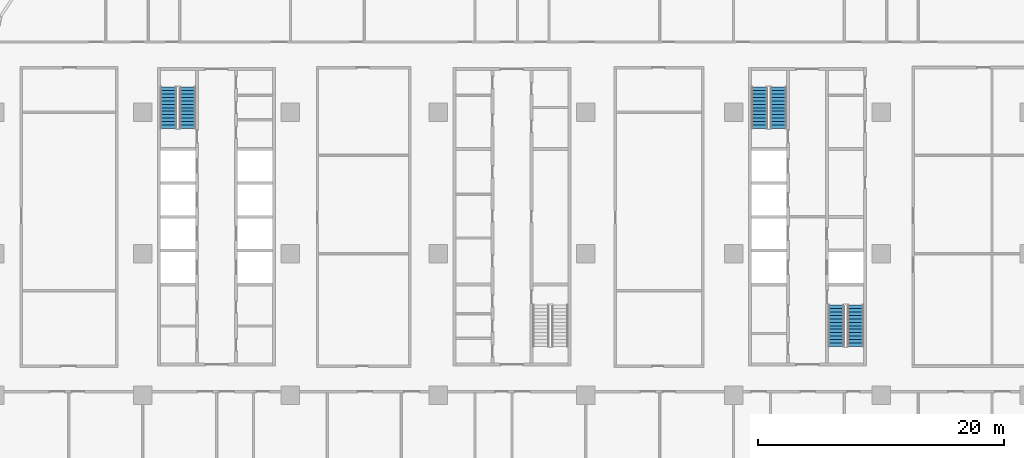
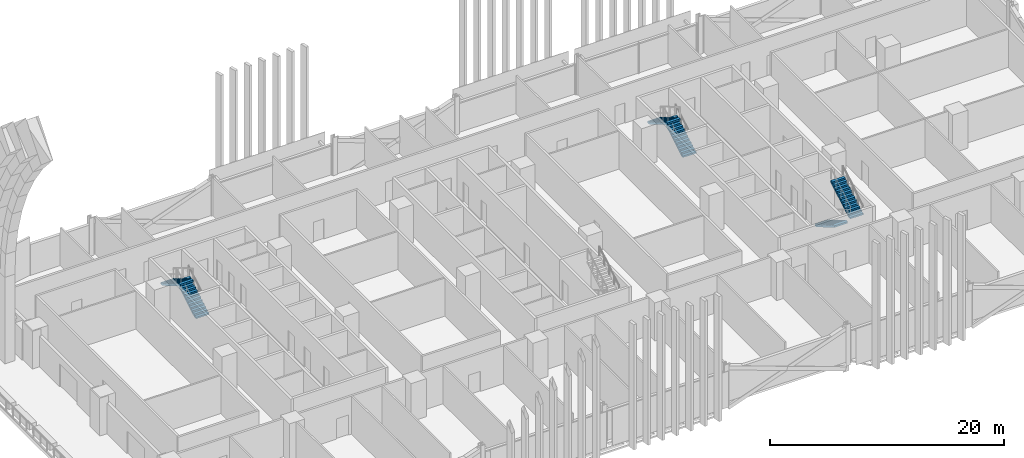
# One storey, part 16 of 29: 6 stair flights, 3 elements without a shape of their own.
"""IFC4 building model written with IfcOpenShell, lengths in metres."""

from ifc_helpers import new_model, si_unit, direction, frame, origin, place, context, subcontext, project, spatial, polyline, outline, extrude, material, type_object, element, aggregate, save


model = new_model("IFC4")

# Units and contexts
model_context = context("Model", 3, precision=1e-05, world=origin(), true_north=direction((0.0, 1.0)))
body_context = subcontext(model_context, "Body", "Model", "MODEL_VIEW")
ifc_project = project(units=[si_unit("LENGTHUNIT", "METRE"), si_unit("AREAUNIT", "SQUARE_METRE"), si_unit("VOLUMEUNIT", "CUBIC_METRE"), si_unit("PLANEANGLEUNIT", "RADIAN"), si_unit("MASSUNIT", "GRAM", prefix="KILO")], contexts=[model_context])

# Site, building, storey
site_placement = place(None, origin())
site = spatial("IfcSite", under=ifc_project, at=site_placement, CompositionType="ELEMENT")
building_placement = place(site_placement, origin())
building = spatial("IfcBuilding", under=site, at=building_placement, Name="Mahtab Terrace Research Tower", CompositionType="ELEMENT")
storey_placement = place(building_placement, frame((0.0, 0.0, 46.0)))
storey = spatial("IfcBuildingStorey", under=building, at=storey_placement, Name="L10", CompositionType="ELEMENT", Elevation=46.0)

# Stair, stair flights
ifc_material_1 = material(Name="Exit stair half-turn")
stair_type = type_object("IfcStairType", Name="Exit stair half-turn", PredefinedType="HALF_TURN_STAIR", material=ifc_material_1)
stair_1_placement = place(storey_placement, origin())
stair_1 = element("IfcStair", 1, at=stair_1_placement, inside=storey, type_object=stair_type, Name="L10 Protected exit stair ST1", PredefinedType="HALF_TURN_STAIR")
ifc_material_2 = material(Name="Concrete C40/50", Category="concrete")
stair_flight_type = type_object("IfcStairFlightType", Name="Exit stair flight 1300", PredefinedType="STRAIGHT", material=ifc_material_2)
stair_flight_1_placement = place(storey_placement, frame((-26.35009765625, 10.175048828125, 0.0), z_axis=(0.0, 0.0, 1.0), x_axis=(0.0, 1.0, 0.0)))
stair_flight_1 = element("IfcStairFlight", 2, at=stair_flight_1_placement, type_object=stair_flight_type, Name="ST1 flight 1", NumberOfRisers=13, NumberOfTreads=12, PredefinedType="STRAIGHT", RiserHeight=0.165384615, TreadLength=0.28, context=body_context, shape_type="SweptSolid", body=[
    extrude(outline(polyline([(0.0, 0.0), (0.0, 0.165283203125), (0.280029296875, 0.165283203125), (0.280029296875, 0.330810546875), (0.56005859375, 0.330810546875), (0.56005859375, 0.49609375), (0.840087890625, 0.49609375), (0.840087890625, 0.66162109375), (1.1201171875, 0.66162109375), (1.1201171875, 0.826904296875), (1.39990234375, 0.826904296875), (1.39990234375, 0.9921875), (1.679931640625, 0.9921875), (1.679931640625, 1.15771484375), (1.9599609375, 1.15771484375), (1.9599609375, 1.322998046875), (2.239990234375, 1.322998046875), (2.239990234375, 1.488525390625), (2.52001953125, 1.488525390625), (2.52001953125, 1.65380859375), (2.800048828125, 1.65380859375), (2.800048828125, 1.8193359375), (3.080078125, 1.8193359375), (3.080078125, 1.984619140625), (3.360107421875, 1.984619140625), (3.360107421875, 2.14990234375), (3.360107421875, 1.810546875), (0.294677734375, 0.0), (0.0, 0.0)])), frame((0.0, 0.64990234375, 0.0), z_axis=(0.0, -1.0, 0.0), x_axis=(1.0, 0.0, 0.0)), (0.0, 0.0, 1.0), 1.300048828125),
])
stair_flight_2_placement = place(storey_placement, frame((-27.89990234375, 13.534912109375, 2.14990234375), z_axis=(0.0, 0.0, 1.0), x_axis=(0.0, -1.0, 0.0)))
stair_flight_2 = element("IfcStairFlight", 3, at=stair_flight_2_placement, type_object=stair_flight_type, Name="ST1 flight 2", NumberOfRisers=13, NumberOfTreads=12, PredefinedType="STRAIGHT", RiserHeight=0.165384615, TreadLength=0.28, context=body_context, shape_type="SweptSolid", body=[
    extrude(outline(polyline([(0.0, 0.0), (0.0, 0.165283203125), (0.280029296875, 0.165283203125), (0.280029296875, 0.330810546875), (0.56005859375, 0.330810546875), (0.56005859375, 0.49609375), (0.840087890625, 0.49609375), (0.840087890625, 0.66162109375), (1.1201171875, 0.66162109375), (1.1201171875, 0.826904296875), (1.39990234375, 0.826904296875), (1.39990234375, 0.9921875), (1.679931640625, 0.9921875), (1.679931640625, 1.15771484375), (1.9599609375, 1.15771484375), (1.9599609375, 1.322998046875), (2.239990234375, 1.322998046875), (2.239990234375, 1.488525390625), (2.52001953125, 1.488525390625), (2.52001953125, 1.65380859375), (2.800048828125, 1.65380859375), (2.800048828125, 1.8193359375), (3.080078125, 1.8193359375), (3.080078125, 1.984619140625), (3.360107421875, 1.984619140625), (3.360107421875, 2.14990234375), (3.360107421875, 1.810546875), (0.294677734375, 0.0), (0.0, 0.0)])), frame((0.0, 0.64990234375, 0.0), z_axis=(0.0, -1.0, 0.0), x_axis=(1.0, 0.0, 0.0)), (0.0, 0.0, 1.0), 1.300048828125),
])
aggregate(stair_1, [stair_flight_1, stair_flight_2])

stair_2_placement = place(storey_placement, origin())
stair_2 = element("IfcStair", 4, at=stair_2_placement, inside=storey, type_object=stair_type, Name="L10 Protected exit stair ST3", PredefinedType="HALF_TURN_STAIR")
stair_flight_3_placement = place(storey_placement, frame((21.64990234375, 10.175048828125, 0.0), z_axis=(0.0, 0.0, 1.0), x_axis=(0.0, 1.0, 0.0)))
stair_flight_3 = element("IfcStairFlight", 5, at=stair_flight_3_placement, type_object=stair_flight_type, Name="ST3 flight 1", NumberOfRisers=13, NumberOfTreads=12, PredefinedType="STRAIGHT", RiserHeight=0.165384615, TreadLength=0.28, context=body_context, shape_type="SweptSolid", body=[
    extrude(outline(polyline([(0.0, 0.0), (0.0, 0.165283203125), (0.280029296875, 0.165283203125), (0.280029296875, 0.330810546875), (0.56005859375, 0.330810546875), (0.56005859375, 0.49609375), (0.840087890625, 0.49609375), (0.840087890625, 0.66162109375), (1.1201171875, 0.66162109375), (1.1201171875, 0.826904296875), (1.39990234375, 0.826904296875), (1.39990234375, 0.9921875), (1.679931640625, 0.9921875), (1.679931640625, 1.15771484375), (1.9599609375, 1.15771484375), (1.9599609375, 1.322998046875), (2.239990234375, 1.322998046875), (2.239990234375, 1.488525390625), (2.52001953125, 1.488525390625), (2.52001953125, 1.65380859375), (2.800048828125, 1.65380859375), (2.800048828125, 1.8193359375), (3.080078125, 1.8193359375), (3.080078125, 1.984619140625), (3.360107421875, 1.984619140625), (3.360107421875, 2.14990234375), (3.360107421875, 1.810546875), (0.294677734375, 0.0), (0.0, 0.0)])), frame((0.0, 0.64990234375, 0.0), z_axis=(0.0, -1.0, 0.0), x_axis=(1.0, 0.0, 0.0)), (0.0, 0.0, 1.0), 1.300048828125),
])
stair_flight_4_placement = place(storey_placement, frame((20.10009765625, 13.534912109375, 2.14990234375), z_axis=(0.0, 0.0, 1.0), x_axis=(0.0, -1.0, 0.0)))
stair_flight_4 = element("IfcStairFlight", 6, at=stair_flight_4_placement, type_object=stair_flight_type, Name="ST3 flight 2", NumberOfRisers=13, NumberOfTreads=12, PredefinedType="STRAIGHT", RiserHeight=0.165384615, TreadLength=0.28, context=body_context, shape_type="SweptSolid", body=[
    extrude(outline(polyline([(0.0, 0.0), (0.0, 0.165283203125), (0.280029296875, 0.165283203125), (0.280029296875, 0.330810546875), (0.56005859375, 0.330810546875), (0.56005859375, 0.49609375), (0.840087890625, 0.49609375), (0.840087890625, 0.66162109375), (1.1201171875, 0.66162109375), (1.1201171875, 0.826904296875), (1.39990234375, 0.826904296875), (1.39990234375, 0.9921875), (1.679931640625, 0.9921875), (1.679931640625, 1.15771484375), (1.9599609375, 1.15771484375), (1.9599609375, 1.322998046875), (2.239990234375, 1.322998046875), (2.239990234375, 1.488525390625), (2.52001953125, 1.488525390625), (2.52001953125, 1.65380859375), (2.800048828125, 1.65380859375), (2.800048828125, 1.8193359375), (3.080078125, 1.8193359375), (3.080078125, 1.984619140625), (3.360107421875, 1.984619140625), (3.360107421875, 2.14990234375), (3.360107421875, 1.810546875), (0.294677734375, 0.0), (0.0, 0.0)])), frame((0.0, 0.64990234375, 0.0), z_axis=(0.0, -1.0, 0.0), x_axis=(1.0, 0.0, 0.0)), (0.0, 0.0, 1.0), 1.300048828125),
])
aggregate(stair_2, [stair_flight_3, stair_flight_4])

stair_3_placement = place(storey_placement, origin())
stair_3 = element("IfcStair", 7, at=stair_3_placement, inside=storey, type_object=stair_type, Name="L10 Protected exit stair ST4", PredefinedType="HALF_TURN_STAIR")
stair_flight_5_placement = place(storey_placement, frame((26.35009765625, -4.175048828125, 0.0), z_axis=(0.0, 0.0, 1.0), x_axis=(0.0, -1.0, 0.0)))
stair_flight_5 = element("IfcStairFlight", 8, at=stair_flight_5_placement, type_object=stair_flight_type, Name="ST4 flight 1", NumberOfRisers=13, NumberOfTreads=12, PredefinedType="STRAIGHT", RiserHeight=0.165384615, TreadLength=0.28, context=body_context, shape_type="SweptSolid", body=[
    extrude(outline(polyline([(0.0, 0.0), (0.0, 0.165283203125), (0.280029296875, 0.165283203125), (0.280029296875, 0.330810546875), (0.56005859375, 0.330810546875), (0.56005859375, 0.49609375), (0.840087890625, 0.49609375), (0.840087890625, 0.66162109375), (1.1201171875, 0.66162109375), (1.1201171875, 0.826904296875), (1.39990234375, 0.826904296875), (1.39990234375, 0.9921875), (1.679931640625, 0.9921875), (1.679931640625, 1.15771484375), (1.9599609375, 1.15771484375), (1.9599609375, 1.322998046875), (2.239990234375, 1.322998046875), (2.239990234375, 1.488525390625), (2.52001953125, 1.488525390625), (2.52001953125, 1.65380859375), (2.800048828125, 1.65380859375), (2.800048828125, 1.8193359375), (3.080078125, 1.8193359375), (3.080078125, 1.984619140625), (3.360107421875, 1.984619140625), (3.360107421875, 2.14990234375), (3.360107421875, 1.810546875), (0.294677734375, 0.0), (0.0, 0.0)])), frame((0.0, 0.64990234375, 0.0), z_axis=(0.0, -1.0, 0.0), x_axis=(1.0, 0.0, 0.0)), (0.0, 0.0, 1.0), 1.300048828125),
])
stair_flight_6_placement = place(storey_placement, frame((27.89990234375, -7.534912109375, 2.14990234375), z_axis=(0.0, 0.0, 1.0), x_axis=(0.0, 1.0, 0.0)))
stair_flight_6 = element("IfcStairFlight", 9, at=stair_flight_6_placement, type_object=stair_flight_type, Name="ST4 flight 2", NumberOfRisers=13, NumberOfTreads=12, PredefinedType="STRAIGHT", RiserHeight=0.165384615, TreadLength=0.28, context=body_context, shape_type="SweptSolid", body=[
    extrude(outline(polyline([(0.0, 0.0), (0.0, 0.165283203125), (0.280029296875, 0.165283203125), (0.280029296875, 0.330810546875), (0.56005859375, 0.330810546875), (0.56005859375, 0.49609375), (0.840087890625, 0.49609375), (0.840087890625, 0.66162109375), (1.1201171875, 0.66162109375), (1.1201171875, 0.826904296875), (1.39990234375, 0.826904296875), (1.39990234375, 0.9921875), (1.679931640625, 0.9921875), (1.679931640625, 1.15771484375), (1.9599609375, 1.15771484375), (1.9599609375, 1.322998046875), (2.239990234375, 1.322998046875), (2.239990234375, 1.488525390625), (2.52001953125, 1.488525390625), (2.52001953125, 1.65380859375), (2.800048828125, 1.65380859375), (2.800048828125, 1.8193359375), (3.080078125, 1.8193359375), (3.080078125, 1.984619140625), (3.360107421875, 1.984619140625), (3.360107421875, 2.14990234375), (3.360107421875, 1.810546875), (0.294677734375, 0.0), (0.0, 0.0)])), frame((0.0, 0.64990234375, 0.0), z_axis=(0.0, -1.0, 0.0), x_axis=(1.0, 0.0, 0.0)), (0.0, 0.0, 1.0), 1.300048828125),
])
aggregate(stair_3, [stair_flight_5, stair_flight_6])

save(model, "model.ifc")
